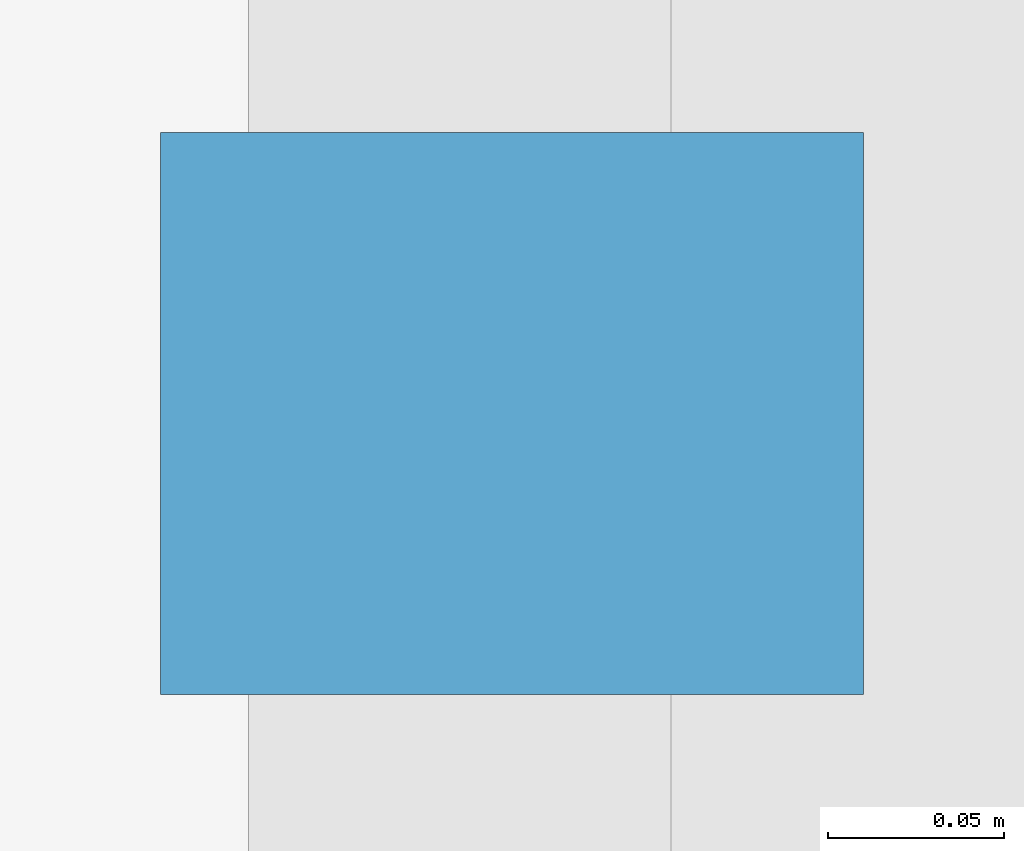
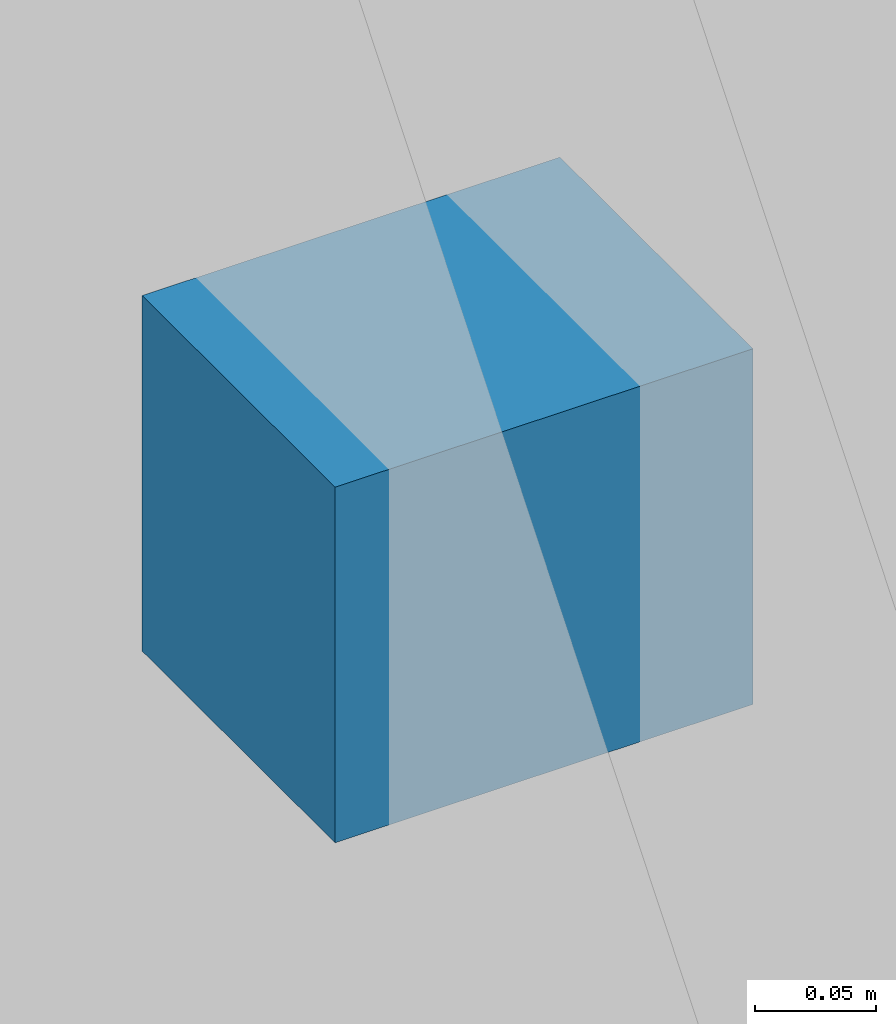
# One storey, part 20 of 24: 1 discrete accessory.
"""IFC4 building model written with IfcOpenShell, lengths in metres."""

from ifc_helpers import new_model, si_unit, direction, frame, origin, origin_2d, place, context, subcontext, project, spatial, rectangle, extrude, material, type_object, element, save


model = new_model("IFC4")

# Units and contexts
model_context = context("Model", 3, precision=1e-05, world=origin(), true_north=direction((0.0, 1.0)))
body_context = subcontext(model_context, "Body", "Model", "MODEL_VIEW")
ifc_project = project(units=[si_unit("LENGTHUNIT", "METRE"), si_unit("AREAUNIT", "SQUARE_METRE"), si_unit("VOLUMEUNIT", "CUBIC_METRE"), si_unit("PLANEANGLEUNIT", "RADIAN"), si_unit("MASSUNIT", "GRAM", prefix="KILO")], contexts=[model_context])

# Site, building, storey
site_placement = place(None, origin())
site = spatial("IfcSite", under=ifc_project, at=site_placement, CompositionType="ELEMENT")
building_placement = place(site_placement, origin())
building = spatial("IfcBuilding", under=site, at=building_placement, Name="Koriwani Terraces Tower", CompositionType="ELEMENT")
storey_placement = place(building_placement, frame((0.0, 0.0, 47.199951171875)))
storey = spatial("IfcBuildingStorey", under=building, at=storey_placement, Name="L10", CompositionType="ELEMENT", Elevation=47.199951171875)

# Discrete accessory
ifc_material = material(Name="Steel ASTM A572 Grade 50", Category="steel")
discrete_accessory_type = type_object("IfcDiscreteAccessoryType", Name="BAGUETTE_STANDOFF_BRACKET", PredefinedType="BRACKET", material=ifc_material)
discrete_accessory_placement = place(storey_placement, frame((33.2099609375, 79.800048828125, 1.68505859375), z_axis=(0.0, 0.0, 1.0), x_axis=(0.0, -1.0, 0.0)))
element("IfcDiscreteAccessory", 1, at=discrete_accessory_placement, inside=storey, type_object=discrete_accessory_type, Name="L10 Terracotta Baguette Bracket (NW_IN-17)", PredefinedType="BRACKET", context=body_context, shape_type="SweptSolid", body=[
    extrude(rectangle(XDim=0.159912109375, YDim=0.199951171875, at=origin_2d()), origin(), (0.0, 0.0, 1.0), 0.179931640625),
])

save(model, "model.ifc")
